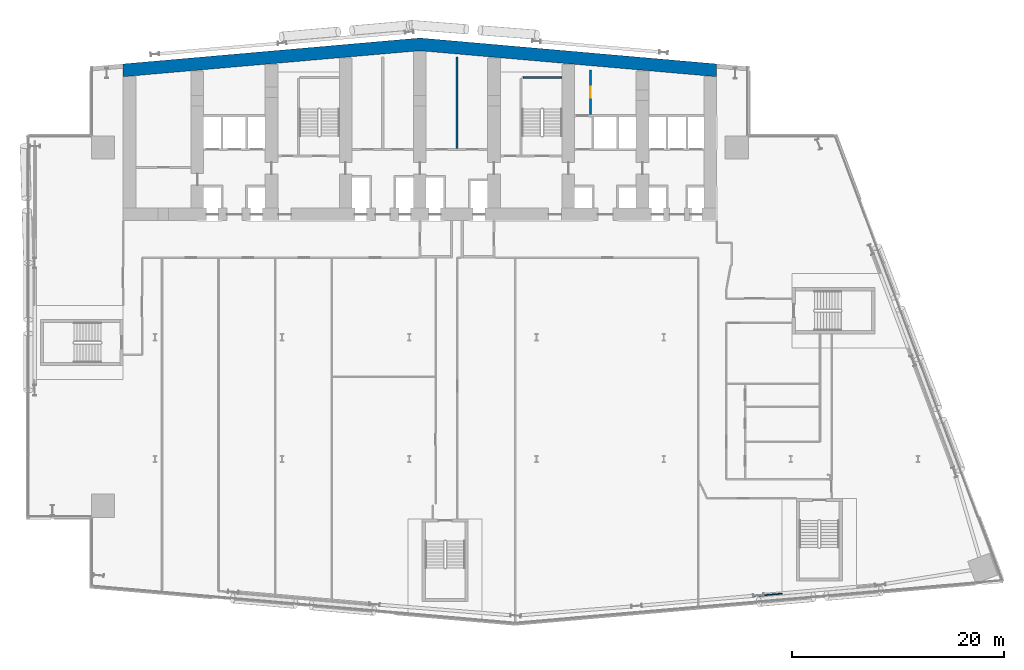
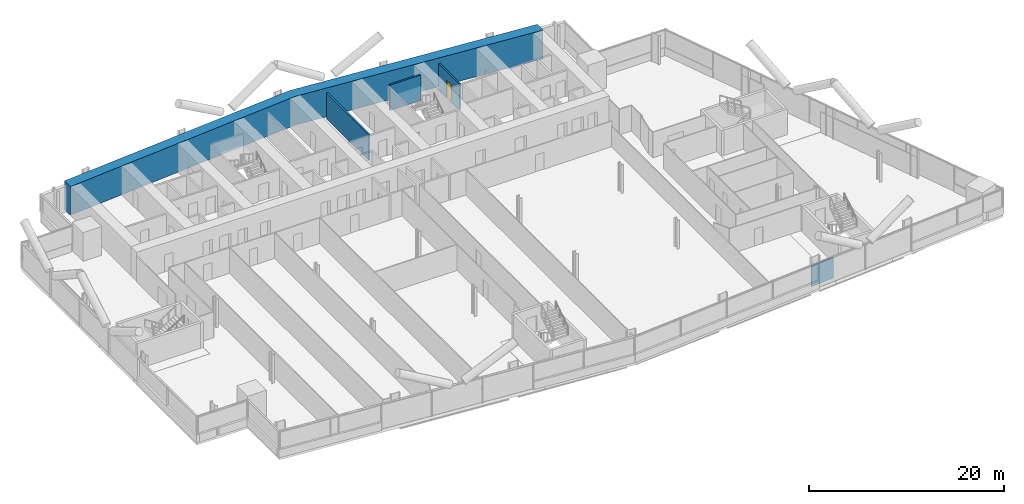
# One storey, part 16 of 25: 5 walls, 1 door, 1 opening.
"""IFC4 building model written with IfcOpenShell, lengths in metres."""

from ifc_helpers import new_model, si_unit, direction, frame, frame_2d, origin, place, context, subcontext, project, spatial, polyline, rectangle, outline, extrude, material, layer, layer_set, type_object, element, fill, save


model = new_model("IFC4")

# Units and contexts
model_context = context("Model", 3, precision=1e-05, world=origin(), true_north=direction((0.0, 1.0)))
body_context = subcontext(model_context, "Body", "Model", "MODEL_VIEW")
ifc_project = project(units=[si_unit("LENGTHUNIT", "METRE"), si_unit("AREAUNIT", "SQUARE_METRE"), si_unit("VOLUMEUNIT", "CUBIC_METRE"), si_unit("PLANEANGLEUNIT", "RADIAN"), si_unit("MASSUNIT", "GRAM", prefix="KILO")], contexts=[model_context])

# Site, building, storey
site_placement = place(None, origin())
site = spatial("IfcSite", under=ifc_project, at=site_placement, CompositionType="ELEMENT")
building_placement = place(site_placement, origin())
building = spatial("IfcBuilding", under=site, at=building_placement, Name="Wharfspan Tower", CompositionType="ELEMENT")
storey_placement = place(building_placement, frame((0.0, 0.0, 70.300049)))
storey = spatial("IfcBuildingStorey", under=building, at=storey_placement, Name="L14", CompositionType="ELEMENT", Elevation=70.300049)

# Wall
ifc_material_1 = material(Name="Calcium silicate masonry", Category="masonry")
ifc_layer_1 = layer(ifc_material_1, 0.199951)
ifc_layer_set_1 = layer_set([ifc_layer_1], Name="Calcium silicate masonry")
wall_type_1 = type_object("IfcWallType", Name="Core room wall 200", PredefinedType="PARTITIONING", material=ifc_layer_set_1)
wall_1_placement = place(storey_placement, frame((40.5, 40.800049, 0.0), z_axis=(0.0, 0.0, 1.0), x_axis=(0.0, 1.0, 0.0)))
element("IfcWall", 1, at=wall_1_placement, inside=storey, type_object=wall_type_1, Name="sw:L14:RP4.1", PredefinedType="PARTITIONING", context=body_context, shape_type="SweptSolid", body=[
    extrude(rectangle(XDim=8.652588, YDim=0.199951, at=frame_2d((4.326172, 0.0))), origin(), (0.0, 0.0, 1.0), 3.199951),
])

# Wall, opening, door
wall_2_placement = place(storey_placement, frame((53.100098, 44.0, 0.0), z_axis=(0.0, 0.0, 1.0), x_axis=(0.0, 1.0, 0.0)))
wall_2 = element("IfcWall", 2, at=wall_2_placement, inside=storey, type_object=wall_type_1, Name="sw:L14:RP6.1", PredefinedType="PARTITIONING", context=body_context, shape_type="SweptSolid", body=[
    extrude(rectangle(XDim=4.227783, YDim=0.199951, at=frame_2d((2.11377, 0.0))), origin(), (0.0, 0.0, 1.0), 3.199951),
])
opening_placement = place(wall_2_placement, frame((1.614014, 0.0, 0.0)))
opening = element("IfcOpeningElement", 3, at=opening_placement, cuts=wall_2, Name="Opening CD14.6P1", PredefinedType="OPENING", context=body_context, shape_type="SweptSolid", body=[
    extrude(rectangle(XDim=1.0, YDim=2.100098, at=frame_2d((0.5, 1.050049))), frame((0.0, 0.109863, 0.0), z_axis=(0.0, -1.0, 0.0), x_axis=(1.0, 0.0, 0.0)), (0.0, 0.0, 1.0), 0.219971),
])
ifc_material_2 = material(Name="Steel door leaf", Category="steel")
door_type = type_object("IfcDoorType", Name="Core room door 1000x2100", OperationType="SINGLE_SWING_LEFT", PredefinedType="DOOR", material=ifc_material_2)
door_placement = place(opening_placement, origin())
door = element("IfcDoor", 4, at=door_placement, inside=storey, type_object=door_type, Name="d:L14:6:rp1", OperationType="SINGLE_SWING_LEFT", OverallHeight=2.100098, OverallWidth=1.0, PredefinedType="DOOR", context=body_context, shape_type="SweptSolid", body=[
    extrude(rectangle(XDim=1.0, YDim=2.100098, at=frame_2d((0.5, 1.050049))), frame((0.0, 0.024902, 0.0), z_axis=(0.0, -1.0, 0.0), x_axis=(1.0, 0.0, 0.0)), (0.0, 0.0, 1.0), 0.050049),
])
fill(opening, door)

# Walls
ifc_material_3 = material(Name="Concrete C70/85", Category="concrete")
ifc_layer_2 = layer(ifc_material_3, 1.199951)
ifc_layer_set_2 = layer_set([ifc_layer_2], Name="Concrete C70/85")
wall_type_2 = type_object("IfcWallType", Name="Core wall 1200 C70/85", PredefinedType="SHEAR", material=ifc_layer_set_2)
wall_3_placement = place(storey_placement, frame((0.0, 0.0, -0.000244)))
element("IfcWall", 5, at=wall_3_placement, inside=storey, type_object=wall_type_2, Name="Core rear wall L14", PredefinedType="SHEAR", context=body_context, shape_type="SweptSolid", body=[
    extrude(outline(polyline([(9.0, 47.582764), (37.0, 50.032471), (65.0, 47.582764), (65.0, 48.787354), (37.0, 51.237061), (9.0, 48.787354), (9.0, 47.582764)])), origin(), (0.0, 0.0, 1.0), 3.600098),
])
ifc_material_4 = material(Name="Gypsum board on steel studs", Category="steel")
ifc_layer_3 = layer(ifc_material_4, 0.100098)
ifc_layer_set_3 = layer_set([ifc_layer_3], Name="Gypsum board on steel studs")
wall_type_3 = type_object("IfcWallType", Name="Partition 100", PredefinedType="PARTITIONING", material=ifc_layer_set_3)
wall_4_placement = place(storey_placement, frame((68.445068, -1.429932, 0.0), z_axis=(0.0, 0.0, 1.0), x_axis=(0.996195, 0.087118, 0.0)))
element("IfcWall", 6, at=wall_4_placement, inside=storey, type_object=wall_type_3, Name="Partition L14.w037", PredefinedType="PARTITIONING", context=body_context, shape_type="SweptSolid", body=[
    extrude(rectangle(XDim=2.738037, YDim=0.100098, at=frame_2d((1.369141, 0.0))), origin(), (0.0, 0.0, 1.0), 2.579834),
])
ifc_material_5 = material(Name="Concrete C40/50", Category="concrete")
ifc_layer_4 = layer(ifc_material_5, 0.199951)
ifc_layer_set_4 = layer_set([ifc_layer_4], Name="Concrete C40/50")
wall_type_4 = type_object("IfcWallType", Name="Stair shaft wall 200", PredefinedType="SHEAR", material=ifc_layer_set_4)
wall_5_placement = place(storey_placement, frame((46.75, 47.5, 0.0), z_axis=(0.0, 0.0, 1.0), x_axis=(1.0, 0.0, 0.0)))
element("IfcWall", 7, at=wall_5_placement, inside=storey, type_object=wall_type_4, Name="ST2 stair enclosure wall L14", PredefinedType="SHEAR", context=body_context, shape_type="SweptSolid", body=[
    extrude(rectangle(XDim=3.649902, YDim=0.199951, at=frame_2d((1.824951, 0.0))), origin(), (0.0, 0.0, 1.0), 3.199951),
])

save(model, "model.ifc")
